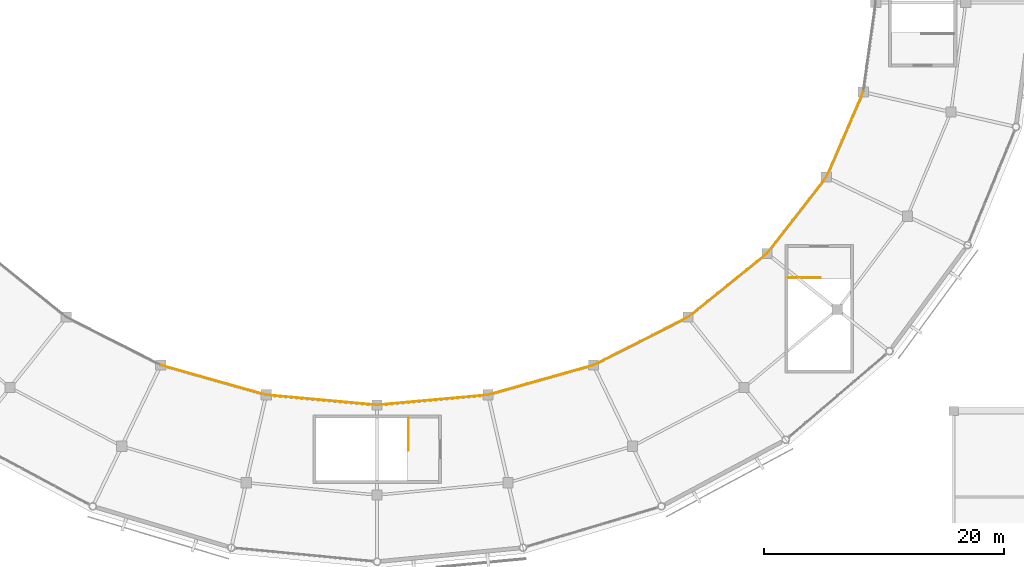
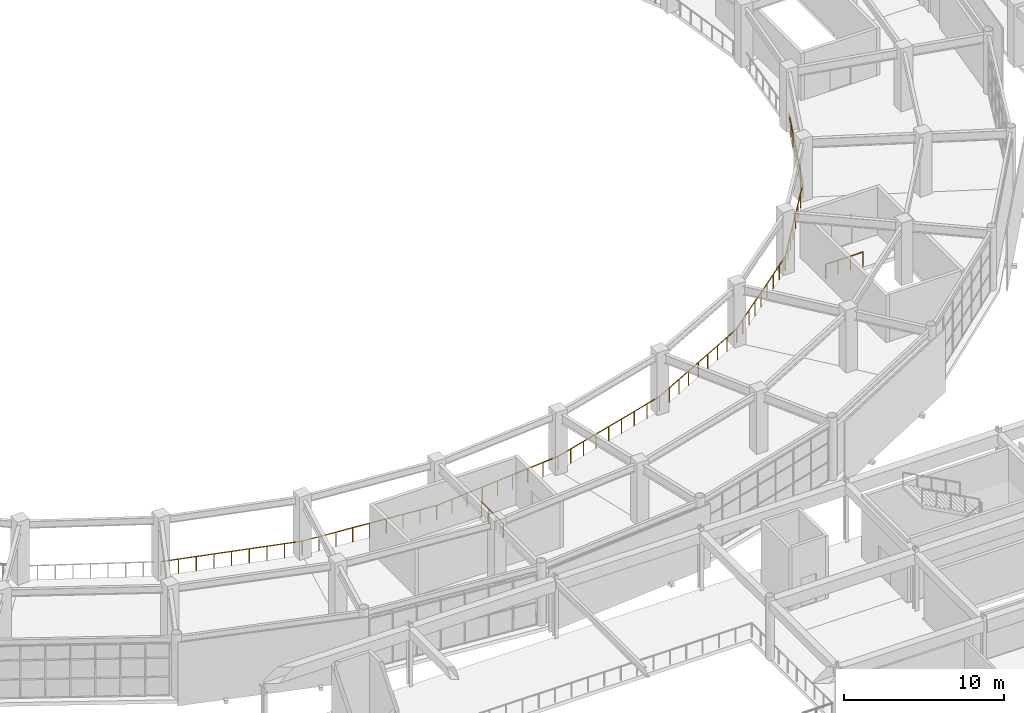
# One storey, part 101 of 112: 10 railings.
"""IFC4 building model written with IfcOpenShell, lengths in metres."""

from ifc_helpers import new_model, si_unit, direction, frame, origin, origin_2d, place, context, subcontext, project, spatial, circle, extrude, material, type_object, element, save


model = new_model("IFC4")

# Units and contexts
model_context = context("Model", 3, precision=1e-05, world=origin(), true_north=direction((0.0, 1.0)))
body_context = subcontext(model_context, "Body", "Model", "MODEL_VIEW")
ifc_project = project(units=[si_unit("LENGTHUNIT", "METRE"), si_unit("AREAUNIT", "SQUARE_METRE"), si_unit("VOLUMEUNIT", "CUBIC_METRE"), si_unit("PLANEANGLEUNIT", "RADIAN"), si_unit("MASSUNIT", "GRAM", prefix="KILO")], contexts=[model_context])

# Site, building, storey
site_placement = place(None, origin())
site = spatial("IfcSite", under=ifc_project, at=site_placement, CompositionType="ELEMENT")
building_placement = place(site_placement, origin())
building = spatial("IfcBuilding", under=site, at=building_placement, Name="Cuetzalor Civic Arena", CompositionType="ELEMENT")
storey_placement = place(building_placement, frame((0.0, 0.0, 11.39990234375)))
storey = spatial("IfcBuildingStorey", under=building, at=storey_placement, Name="L02", CompositionType="ELEMENT", Elevation=11.39990234375)

# Railings
ifc_material_1 = material(Name="Reseda-green Steel S355 and laminated glass guard", Category="steel")
railing_type_1 = type_object("IfcRailingType", Name="BowlSightlineGuard_1100", PredefinedType="BALUSTRADE", material=ifc_material_1)
railing_1_placement = place(storey_placement, frame((-18.006103515625, -30.1826171875, 0.0)))
element("IfcRailing", 1, at=railing_1_placement, inside=storey, type_object=railing_type_1, Name="Club Gallery Bowl Rim Balustrade S20", PredefinedType="BALUSTRADE", context=body_context, shape_type="SweptSolid", body=[
    extrude(circle(Radius=0.02392578125, at=origin_2d()), frame((0.0, 0.0, 1.076171875), z_axis=(0.962348405043, -0.271818960543, 0.0), x_axis=(0.271818960543, 0.962348405043, 0.0)), (0.0, 0.0, 1.0), 9.11474609375),
    extrude(circle(Radius=0.02099609375, at=origin_2d()), origin(), (0.0, 0.0, 1.0), 1.052001953125),
    extrude(circle(Radius=0.02099609375, at=origin_2d()), frame((1.096435546875, -0.3095703125, 0.0)), (0.0, 0.0, 1.0), 1.052001953125),
    extrude(circle(Radius=0.02099609375, at=origin_2d()), frame((2.19287109375, -0.619384765625, 0.0)), (0.0, 0.0, 1.0), 1.052001953125),
    extrude(circle(Radius=0.02099609375, at=origin_2d()), frame((3.289306640625, -0.92919921875, 0.0)), (0.0, 0.0, 1.0), 1.052001953125),
    extrude(circle(Radius=0.02099609375, at=origin_2d()), frame((4.3857421875, -1.23876953125, 0.0)), (0.0, 0.0, 1.0), 1.052001953125),
    extrude(circle(Radius=0.02099609375, at=origin_2d()), frame((5.482177734375, -1.54833984375, 0.0)), (0.0, 0.0, 1.0), 1.052001953125),
    extrude(circle(Radius=0.02099609375, at=origin_2d()), frame((6.57861328125, -1.858154296875, 0.0)), (0.0, 0.0, 1.0), 1.052001953125),
    extrude(circle(Radius=0.02099609375, at=origin_2d()), frame((7.675048828125, -2.16796875, 0.0)), (0.0, 0.0, 1.0), 1.052001953125),
    extrude(circle(Radius=0.02099609375, at=origin_2d()), frame((8.771484375, -2.4775390625, 0.0)), (0.0, 0.0, 1.0), 1.052001953125),
])
railing_2_placement = place(storey_placement, frame((-9.234619140625, -32.66015625, 0.0)))
element("IfcRailing", 2, at=railing_2_placement, inside=storey, type_object=railing_type_1, Name="Club Gallery Bowl Rim Balustrade S21", PredefinedType="BALUSTRADE", context=body_context, shape_type="SweptSolid", body=[
    extrude(circle(Radius=0.02392578125, at=origin_2d()), frame((0.0, 0.0, 1.076171875), z_axis=(0.995889968673, -0.090571354719, 0.0), x_axis=(0.090571354719, 0.995889968673, 0.0)), (0.0, 0.0, 1.0), 9.272705078125),
    extrude(circle(Radius=0.02099609375, at=origin_2d()), origin(), (0.0, 0.0, 1.0), 1.052001953125),
    extrude(circle(Radius=0.02099609375, at=origin_2d()), frame((1.154296875, -0.10498046875, 0.0)), (0.0, 0.0, 1.0), 1.052001953125),
    extrude(circle(Radius=0.02099609375, at=origin_2d()), frame((2.30859375, -0.2099609375, 0.0)), (0.0, 0.0, 1.0), 1.052001953125),
    extrude(circle(Radius=0.02099609375, at=origin_2d()), frame((3.462890625, -0.31494140625, 0.0)), (0.0, 0.0, 1.0), 1.052001953125),
    extrude(circle(Radius=0.02099609375, at=origin_2d()), frame((4.6171875, -0.419921875, 0.0)), (0.0, 0.0, 1.0), 1.052001953125),
    extrude(circle(Radius=0.02099609375, at=origin_2d()), frame((5.771728515625, -0.52490234375, 0.0)), (0.0, 0.0, 1.0), 1.052001953125),
    extrude(circle(Radius=0.02099609375, at=origin_2d()), frame((6.926025390625, -0.6298828125, 0.0)), (0.0, 0.0, 1.0), 1.052001953125),
    extrude(circle(Radius=0.02099609375, at=origin_2d()), frame((8.080322265625, -0.73486328125, 0.0)), (0.0, 0.0, 1.0), 1.052001953125),
    extrude(circle(Radius=0.02099609375, at=origin_2d()), frame((9.234619140625, -0.83984375, 0.0)), (0.0, 0.0, 1.0), 1.052001953125),
])
railing_3_placement = place(storey_placement, frame((0.0, -33.5, 0.0)))
element("IfcRailing", 3, at=railing_3_placement, inside=storey, type_object=railing_type_1, Name="Club Gallery Bowl Rim Balustrade S22", PredefinedType="BALUSTRADE", context=body_context, shape_type="SweptSolid", body=[
    extrude(circle(Radius=0.02392578125, at=origin_2d()), frame((0.0, 0.0, 1.076171875), z_axis=(0.995889968673, 0.090571354719, 0.0), x_axis=(-0.090571354719, 0.995889968673, 0.0)), (0.0, 0.0, 1.0), 9.272705078125),
    extrude(circle(Radius=0.02099609375, at=origin_2d()), origin(), (0.0, 0.0, 1.0), 1.052001953125),
    extrude(circle(Radius=0.02099609375, at=origin_2d()), frame((1.154296875, 0.10498046875, 0.0)), (0.0, 0.0, 1.0), 1.052001953125),
    extrude(circle(Radius=0.02099609375, at=origin_2d()), frame((2.30859375, 0.2099609375, 0.0)), (0.0, 0.0, 1.0), 1.052001953125),
    extrude(circle(Radius=0.02099609375, at=origin_2d()), frame((3.462890625, 0.31494140625, 0.0)), (0.0, 0.0, 1.0), 1.052001953125),
    extrude(circle(Radius=0.02099609375, at=origin_2d()), frame((4.6171875, 0.419921875, 0.0)), (0.0, 0.0, 1.0), 1.052001953125),
    extrude(circle(Radius=0.02099609375, at=origin_2d()), frame((5.771728515625, 0.52490234375, 0.0)), (0.0, 0.0, 1.0), 1.052001953125),
    extrude(circle(Radius=0.02099609375, at=origin_2d()), frame((6.926025390625, 0.6298828125, 0.0)), (0.0, 0.0, 1.0), 1.052001953125),
    extrude(circle(Radius=0.02099609375, at=origin_2d()), frame((8.080322265625, 0.73486328125, 0.0)), (0.0, 0.0, 1.0), 1.052001953125),
    extrude(circle(Radius=0.02099609375, at=origin_2d()), frame((9.234619140625, 0.83984375, 0.0)), (0.0, 0.0, 1.0), 1.052001953125),
])
railing_4_placement = place(storey_placement, frame((9.234619140625, -32.66015625, 0.0)))
element("IfcRailing", 4, at=railing_4_placement, inside=storey, type_object=railing_type_1, Name="Club Gallery Bowl Rim Balustrade S23", PredefinedType="BALUSTRADE", context=body_context, shape_type="SweptSolid", body=[
    extrude(circle(Radius=0.02392578125, at=origin_2d()), frame((0.0, 0.0, 1.076171875), z_axis=(0.962348405043, 0.271818960543, 0.0), x_axis=(-0.271818960543, 0.962348405043, 0.0)), (0.0, 0.0, 1.0), 9.11474609375),
    extrude(circle(Radius=0.02099609375, at=origin_2d()), origin(), (0.0, 0.0, 1.0), 1.052001953125),
    extrude(circle(Radius=0.02099609375, at=origin_2d()), frame((1.096435546875, 0.3095703125, 0.0)), (0.0, 0.0, 1.0), 1.052001953125),
    extrude(circle(Radius=0.02099609375, at=origin_2d()), frame((2.19287109375, 0.619384765625, 0.0)), (0.0, 0.0, 1.0), 1.052001953125),
    extrude(circle(Radius=0.02099609375, at=origin_2d()), frame((3.289306640625, 0.92919921875, 0.0)), (0.0, 0.0, 1.0), 1.052001953125),
    extrude(circle(Radius=0.02099609375, at=origin_2d()), frame((4.3857421875, 1.23876953125, 0.0)), (0.0, 0.0, 1.0), 1.052001953125),
    extrude(circle(Radius=0.02099609375, at=origin_2d()), frame((5.482177734375, 1.54833984375, 0.0)), (0.0, 0.0, 1.0), 1.052001953125),
    extrude(circle(Radius=0.02099609375, at=origin_2d()), frame((6.57861328125, 1.858154296875, 0.0)), (0.0, 0.0, 1.0), 1.052001953125),
    extrude(circle(Radius=0.02099609375, at=origin_2d()), frame((7.675048828125, 2.16796875, 0.0)), (0.0, 0.0, 1.0), 1.052001953125),
    extrude(circle(Radius=0.02099609375, at=origin_2d()), frame((8.771484375, 2.4775390625, 0.0)), (0.0, 0.0, 1.0), 1.052001953125),
])
railing_5_placement = place(storey_placement, frame((18.006103515625, -30.1826171875, 0.0)))
element("IfcRailing", 5, at=railing_5_placement, inside=storey, type_object=railing_type_1, Name="Club Gallery Bowl Rim Balustrade S24", PredefinedType="BALUSTRADE", context=body_context, shape_type="SweptSolid", body=[
    extrude(circle(Radius=0.02392578125, at=origin_2d()), frame((0.0, 0.0, 1.076171875), z_axis=(0.891833390372, 0.452364016935, 0.0), x_axis=(-0.452364016935, 0.891833390372, 0.0)), (0.0, 0.0, 1.0), 8.822998046875),
    extrude(circle(Radius=0.02099609375, at=origin_2d()), origin(), (0.0, 0.0, 1.0), 1.052001953125),
    extrude(circle(Radius=0.02099609375, at=origin_2d()), frame((0.983642578125, 0.4990234375, 0.0)), (0.0, 0.0, 1.0), 1.052001953125),
    extrude(circle(Radius=0.02099609375, at=origin_2d()), frame((1.96728515625, 0.997802734375, 0.0)), (0.0, 0.0, 1.0), 1.052001953125),
    extrude(circle(Radius=0.02099609375, at=origin_2d()), frame((2.95068359375, 1.49658203125, 0.0)), (0.0, 0.0, 1.0), 1.052001953125),
    extrude(circle(Radius=0.02099609375, at=origin_2d()), frame((3.934326171875, 1.99560546875, 0.0)), (0.0, 0.0, 1.0), 1.052001953125),
    extrude(circle(Radius=0.02099609375, at=origin_2d()), frame((4.91796875, 2.49462890625, 0.0)), (0.0, 0.0, 1.0), 1.052001953125),
    extrude(circle(Radius=0.02099609375, at=origin_2d()), frame((5.9013671875, 2.993408203125, 0.0)), (0.0, 0.0, 1.0), 1.052001953125),
    extrude(circle(Radius=0.02099609375, at=origin_2d()), frame((6.885009765625, 3.4921875, 0.0)), (0.0, 0.0, 1.0), 1.052001953125),
    extrude(circle(Radius=0.02099609375, at=origin_2d()), frame((7.86865234375, 3.9912109375, 0.0)), (0.0, 0.0, 1.0), 1.052001953125),
])
railing_6_placement = place(storey_placement, frame((25.874755859375, -26.19140625, 0.0)))
element("IfcRailing", 6, at=railing_6_placement, inside=storey, type_object=railing_type_1, Name="Club Gallery Bowl Rim Balustrade S25", PredefinedType="BALUSTRADE", context=body_context, shape_type="SweptSolid", body=[
    extrude(circle(Radius=0.02392578125, at=origin_2d()), frame((0.0, 0.0, 1.076171875), z_axis=(0.778122678462, 0.628112328539, 0.0), x_axis=(-0.628112328539, 0.778122678462, 0.0)), (0.0, 0.0, 1.0), 8.445068359375),
    extrude(circle(Radius=0.02099609375, at=origin_2d()), origin(), (0.0, 0.0, 1.0), 1.052001953125),
    extrude(circle(Radius=0.02099609375, at=origin_2d()), frame((0.8212890625, 0.6630859375, 0.0)), (0.0, 0.0, 1.0), 1.052001953125),
    extrude(circle(Radius=0.02099609375, at=origin_2d()), frame((1.642822265625, 1.326171875, 0.0)), (0.0, 0.0, 1.0), 1.052001953125),
    extrude(circle(Radius=0.02099609375, at=origin_2d()), frame((2.46435546875, 1.9892578125, 0.0)), (0.0, 0.0, 1.0), 1.052001953125),
    extrude(circle(Radius=0.02099609375, at=origin_2d()), frame((3.28564453125, 2.65234375, 0.0)), (0.0, 0.0, 1.0), 1.052001953125),
    extrude(circle(Radius=0.02099609375, at=origin_2d()), frame((4.10693359375, 3.315185546875, 0.0)), (0.0, 0.0, 1.0), 1.052001953125),
    extrude(circle(Radius=0.02099609375, at=origin_2d()), frame((4.928466796875, 3.978271484375, 0.0)), (0.0, 0.0, 1.0), 1.052001953125),
    extrude(circle(Radius=0.02099609375, at=origin_2d()), frame((5.75, 4.641357421875, 0.0)), (0.0, 0.0, 1.0), 1.052001953125),
    extrude(circle(Radius=0.02099609375, at=origin_2d()), frame((6.5712890625, 5.304443359375, 0.0)), (0.0, 0.0, 1.0), 1.052001953125),
])
railing_7_placement = place(storey_placement, frame((32.446044921875, -20.886962890625, 0.0)))
element("IfcRailing", 7, at=railing_7_placement, inside=storey, type_object=railing_type_1, Name="Club Gallery Bowl Rim Balustrade S26", PredefinedType="BALUSTRADE", context=body_context, shape_type="SweptSolid", body=[
    extrude(circle(Radius=0.02392578125, at=origin_2d()), frame((0.0, 0.0, 1.076171875), z_axis=(0.614234549024, 0.78912351301, 0.0), x_axis=(-0.78912351301, 0.614234549024, 0.0)), (0.0, 0.0, 1.0), 8.049072265625),
    extrude(circle(Radius=0.02099609375, at=origin_2d()), origin(), (0.0, 0.0, 1.0), 1.052001953125),
    extrude(circle(Radius=0.02099609375, at=origin_2d()), frame((0.706298828125, 0.907470703125, 0.0)), (0.0, 0.0, 1.0), 1.052001953125),
    extrude(circle(Radius=0.02099609375, at=origin_2d()), frame((1.41259765625, 1.814697265625, 0.0)), (0.0, 0.0, 1.0), 1.052001953125),
    extrude(circle(Radius=0.02099609375, at=origin_2d()), frame((2.118896484375, 2.72216796875, 0.0)), (0.0, 0.0, 1.0), 1.052001953125),
    extrude(circle(Radius=0.02099609375, at=origin_2d()), frame((2.8251953125, 3.629638671875, 0.0)), (0.0, 0.0, 1.0), 1.052001953125),
    extrude(circle(Radius=0.02099609375, at=origin_2d()), frame((3.531494140625, 4.537109375, 0.0)), (0.0, 0.0, 1.0), 1.052001953125),
    extrude(circle(Radius=0.02099609375, at=origin_2d()), frame((4.23779296875, 5.4443359375, 0.0)), (0.0, 0.0, 1.0), 1.052001953125),
    extrude(circle(Radius=0.02099609375, at=origin_2d()), frame((4.944091796875, 6.351806640625, 0.0)), (0.0, 0.0, 1.0), 1.052001953125),
])
railing_8_placement = place(storey_placement, frame((37.39013671875, -14.53515625, 0.0)))
element("IfcRailing", 8, at=railing_8_placement, inside=storey, type_object=railing_type_1, Name="Club Gallery Bowl Rim Balustrade S27", PredefinedType="BALUSTRADE", context=body_context, shape_type="SweptSolid", body=[
    extrude(circle(Radius=0.02392578125, at=origin_2d()), frame((0.0, 0.0, 1.076171875), z_axis=(0.397726401809, 0.917504065007, 0.0), x_axis=(-0.917504065007, 0.397726401809, 0.0)), (0.0, 0.0, 1.0), 7.71728515625),
    extrude(circle(Radius=0.02099609375, at=origin_2d()), origin(), (0.0, 0.0, 1.0), 1.052001953125),
    extrude(circle(Radius=0.02099609375, at=origin_2d()), frame((0.4384765625, 1.011474609375, 0.0)), (0.0, 0.0, 1.0), 1.052001953125),
    extrude(circle(Radius=0.02099609375, at=origin_2d()), frame((0.876953125, 2.02294921875, 0.0)), (0.0, 0.0, 1.0), 1.052001953125),
    extrude(circle(Radius=0.02099609375, at=origin_2d()), frame((1.3154296875, 3.034423828125, 0.0)), (0.0, 0.0, 1.0), 1.052001953125),
    extrude(circle(Radius=0.02099609375, at=origin_2d()), frame((1.75390625, 4.046142578125, 0.0)), (0.0, 0.0, 1.0), 1.052001953125),
    extrude(circle(Radius=0.02099609375, at=origin_2d()), frame((2.1923828125, 5.0576171875, 0.0)), (0.0, 0.0, 1.0), 1.052001953125),
    extrude(circle(Radius=0.02099609375, at=origin_2d()), frame((2.630859375, 6.069091796875, 0.0)), (0.0, 0.0, 1.0), 1.052001953125),
    extrude(circle(Radius=0.02099609375, at=origin_2d()), frame((3.0693359375, 7.08056640625, 0.0)), (0.0, 0.0, 1.0), 1.052001953125),
])
ifc_material_2 = material(Name="Reseda-green architectural Steel S355 balustrade", Category="steel")
railing_type_2 = type_object("IfcRailingType", Name="InteriorVoidBalustrade_1100", PredefinedType="BALUSTRADE", material=ifc_material_2)
railing_9_placement = place(storey_placement, frame((2.60009765625, -34.60009765625, 0.0)))
element("IfcRailing", 9, at=railing_9_placement, inside=storey, type_object=railing_type_2, Name="L02 ST-07 top well guard 1", PredefinedType="BALUSTRADE", context=body_context, shape_type="SweptSolid", body=[
    extrude(circle(Radius=0.02392578125, at=origin_2d()), frame((0.0, 0.0, 1.0810546875), z_axis=(0.0, -1.0, 0.0), x_axis=(1.0, 0.0, 0.0)), (0.0, 0.0, 1.0), 2.699951171875),
    extrude(circle(Radius=0.02099609375, at=origin_2d()), origin(), (0.0, 0.0, 1.0), 1.056884765625),
    extrude(circle(Radius=0.02099609375, at=origin_2d()), frame((0.0, -0.89990234375, 0.0)), (0.0, 0.0, 1.0), 1.056884765625),
    extrude(circle(Radius=0.02099609375, at=origin_2d()), frame((0.0, -1.800048828125, 0.0)), (0.0, 0.0, 1.0), 1.056884765625),
    extrude(circle(Radius=0.02099609375, at=origin_2d()), frame((0.0, -2.699951171875, 0.0)), (0.0, 0.0, 1.0), 1.056884765625),
])
railing_10_placement = place(storey_placement, frame((34.199951171875, -22.89990234375, 0.0)))
element("IfcRailing", 10, at=railing_10_placement, inside=storey, type_object=railing_type_2, Name="L02 ST-08 top well guard 1", PredefinedType="BALUSTRADE", context=body_context, shape_type="SweptSolid", body=[
    extrude(circle(Radius=0.02392578125, at=origin_2d()), frame((0.0, 0.0, 1.0810546875), z_axis=(1.0, 0.0, 0.0), x_axis=(0.0, 1.0, 0.0)), (0.0, 0.0, 1.0), 2.699951171875),
    extrude(circle(Radius=0.02099609375, at=origin_2d()), origin(), (0.0, 0.0, 1.0), 1.056884765625),
    extrude(circle(Radius=0.02099609375, at=origin_2d()), frame((0.89990234375, 0.0, 0.0)), (0.0, 0.0, 1.0), 1.056884765625),
    extrude(circle(Radius=0.02099609375, at=origin_2d()), frame((1.800048828125, 0.0, 0.0)), (0.0, 0.0, 1.0), 1.056884765625),
    extrude(circle(Radius=0.02099609375, at=origin_2d()), frame((2.699951171875, 0.0, 0.0)), (0.0, 0.0, 1.0), 1.056884765625),
])

save(model, "model.ifc")
